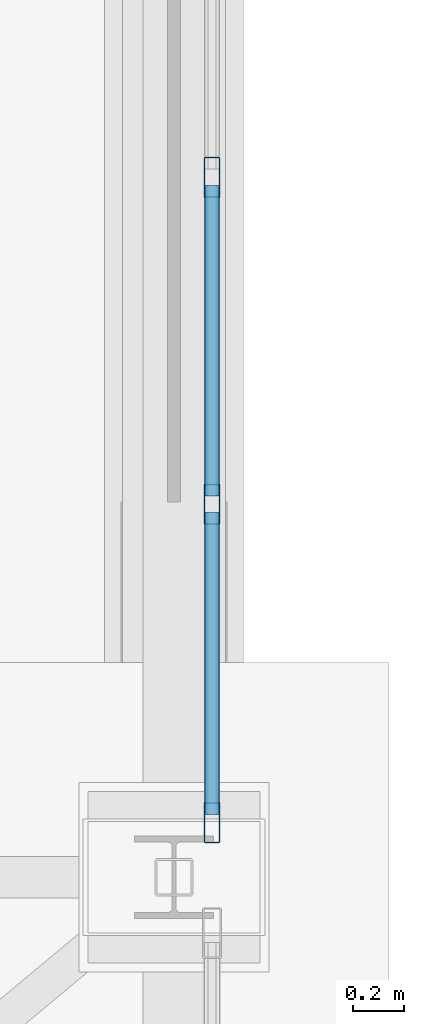
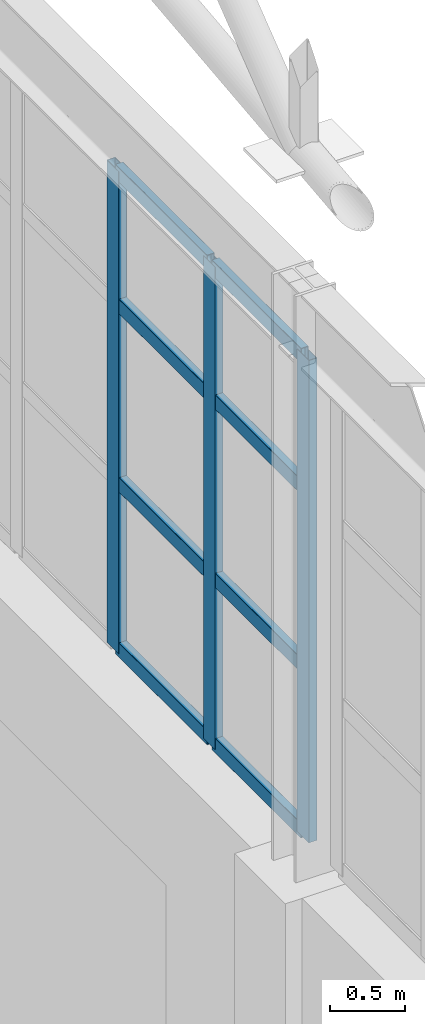
# One storey, part 188 of 293: 11 members, 1 element without a shape of its own.
"""IFC4 building model written with IfcOpenShell, lengths in metres."""

from ifc_helpers import new_model, si_unit, direction, frame, origin, origin_2d, place, context, subcontext, project, spatial, hollow_rectangle, extrude, material, layer, layer_set, material_profile, profile_set, type_object, element, aggregate, save


model = new_model("IFC4")

# Units and contexts
model_context = context("Model", 3, precision=1e-05, world=origin(), true_north=direction((0.0, 1.0)))
body_context = subcontext(model_context, "Body", "Model", "MODEL_VIEW")
ifc_project = project(units=[si_unit("LENGTHUNIT", "METRE"), si_unit("AREAUNIT", "SQUARE_METRE"), si_unit("VOLUMEUNIT", "CUBIC_METRE"), si_unit("PLANEANGLEUNIT", "RADIAN"), si_unit("MASSUNIT", "GRAM", prefix="KILO")], contexts=[model_context])

# Site, building, storey
site_placement = place(None, origin())
site = spatial("IfcSite", under=ifc_project, at=site_placement, CompositionType="ELEMENT")
building_placement = place(site_placement, origin())
building = spatial("IfcBuilding", under=site, at=building_placement, Name="Kemerveld Promenade Tramway Depot", CompositionType="ELEMENT")
storey_placement = place(building_placement, origin())
storey = spatial("IfcBuildingStorey", under=building, at=storey_placement, Name="L00", CompositionType="ELEMENT", Elevation=0.0)

# Curtain wall, members
ifc_material_1 = material(Name="Bronze anodised aluminium and solar glass", Category="aluminium")
ifc_layer = layer(ifc_material_1, 0.159912109375)
ifc_layer_set = layer_set([ifc_layer], Name="CW-SYS-13")
curtain_wall_type = type_object("IfcCurtainWallType", Name="CW-SYS-13", PredefinedType="USERDEFINED", material=ifc_layer_set)
curtain_wall_placement = place(storey_placement, origin())
curtain_wall = element("IfcCurtainWall", 1, at=curtain_wall_placement, inside=storey, type_object=curtain_wall_type, Name="CW-V1-E-03", ObjectType="GLAZED_CURTAIN_WALL", PredefinedType="USERDEFINED")
ifc_material_2 = material(Name="Bronze anodised aluminium", Category="aluminium")
ifc_material_profile_1 = material_profile(ifc_material_2, hollow_rectangle(XDim=0.06494140625, YDim=0.159912109375, WallThickness=0.00390625, InnerFilletRadius=0.001953125, OuterFilletRadius=0.00390625, at=origin_2d()), Name="CW-MUL-160x65")
ifc_profile_set_1 = profile_set([ifc_material_profile_1], Name="Bronze anodised aluminium")
member_type_1 = type_object("IfcMemberType", Name="CW-MUL-A", PredefinedType="MULLION", material=ifc_profile_set_1)
member_1_placement = place(storey_placement, frame((187.35009765625, 110.7685546875, 6.64990234375), z_axis=(0.0, 0.0, 1.0), x_axis=(1.0, 0.0, 0.0)))
member_1 = element("IfcMember", 2, at=member_1_placement, type_object=member_type_1, Name="CW13 mullion 8", PredefinedType="MULLION", context=body_context, shape_type="SweptSolid", body=[
    extrude(hollow_rectangle(XDim=0.06494140625, YDim=0.159912109375, WallThickness=0.00390625, InnerFilletRadius=0.001953125, OuterFilletRadius=0.00390625, at=origin_2d()), origin(), (0.0, 0.0, 1.0), 3.9501953125),
])
member_2_placement = place(storey_placement, frame((187.35009765625, 109.47607421875, 6.64990234375), z_axis=(0.0, 0.0, 1.0), x_axis=(1.0, 0.0, 0.0)))
member_2 = element("IfcMember", 3, at=member_2_placement, type_object=member_type_1, Name="CW13 mullion 9", PredefinedType="MULLION", context=body_context, shape_type="SweptSolid", body=[
    extrude(hollow_rectangle(XDim=0.06494140625, YDim=0.159912109375, WallThickness=0.00390625, InnerFilletRadius=0.001953125, OuterFilletRadius=0.00390625, at=origin_2d()), origin(), (0.0, 0.0, 1.0), 3.9501953125),
])
member_3_placement = place(storey_placement, frame((187.35009765625, 108.216064453125, 6.64990234375), z_axis=(0.0, 0.0, 1.0), x_axis=(1.0, 0.0, 0.0)))
member_3 = element("IfcMember", 4, at=member_3_placement, type_object=member_type_1, Name="CW13 mullion 10", PredefinedType="MULLION", context=body_context, shape_type="SweptSolid", body=[
    extrude(hollow_rectangle(XDim=0.06494140625, YDim=0.159912109375, WallThickness=0.00390625, InnerFilletRadius=0.001953125, OuterFilletRadius=0.00390625, at=origin_2d()), origin(), (0.0, 0.0, 1.0), 3.9501953125),
])
ifc_material_profile_2 = material_profile(ifc_material_2, hollow_rectangle(XDim=0.06005859375, YDim=0.1201171875, WallThickness=0.00390625, InnerFilletRadius=0.001953125, OuterFilletRadius=0.00390625, at=origin_2d()), Name="CW-TRN-120x60")
ifc_profile_set_2 = profile_set([ifc_material_profile_2], Name="Bronze anodised aluminium")
member_type_2 = type_object("IfcMemberType", Name="CW-TRN-A", PredefinedType="USERDEFINED", material=ifc_profile_set_2)
member_4_placement = place(storey_placement, frame((187.35009765625, 110.736083984375, 6.679931640625), z_axis=(0.0, -1.0, 0.0), x_axis=(1.0, 0.0, 0.0)))
member_4 = element("IfcMember", 5, at=member_4_placement, type_object=member_type_2, Name="CW13 transom 8.1", ObjectType="TRANSOM", PredefinedType="USERDEFINED", context=body_context, shape_type="SweptSolid", body=[
    extrude(hollow_rectangle(XDim=0.06005859375, YDim=0.1201171875, WallThickness=0.00390625, InnerFilletRadius=0.001953125, OuterFilletRadius=0.00390625, at=origin_2d()), origin(), (0.0, 0.0, 1.0), 1.2275390625),
])
member_5_placement = place(storey_placement, frame((187.35009765625, 110.736083984375, 8.032958984375), z_axis=(0.0, -1.0, 0.0), x_axis=(1.0, 0.0, 0.0)))
member_5 = element("IfcMember", 6, at=member_5_placement, type_object=member_type_2, Name="CW13 transom 8.2", ObjectType="TRANSOM", PredefinedType="USERDEFINED", context=body_context, shape_type="SweptSolid", body=[
    extrude(hollow_rectangle(XDim=0.06005859375, YDim=0.1201171875, WallThickness=0.00390625, InnerFilletRadius=0.001953125, OuterFilletRadius=0.00390625, at=origin_2d()), origin(), (0.0, 0.0, 1.0), 1.2275390625),
])
member_6_placement = place(storey_placement, frame((187.35009765625, 110.736083984375, 9.493896484375), z_axis=(0.0, -1.0, 0.0), x_axis=(1.0, 0.0, 0.0)))
member_6 = element("IfcMember", 7, at=member_6_placement, type_object=member_type_2, Name="CW13 transom 8.3", ObjectType="TRANSOM", PredefinedType="USERDEFINED", context=body_context, shape_type="SweptSolid", body=[
    extrude(hollow_rectangle(XDim=0.06005859375, YDim=0.1201171875, WallThickness=0.00390625, InnerFilletRadius=0.001953125, OuterFilletRadius=0.00390625, at=origin_2d()), origin(), (0.0, 0.0, 1.0), 1.2275390625),
])
member_7_placement = place(storey_placement, frame((187.35009765625, 110.736083984375, 10.570068359375), z_axis=(0.0, -1.0, 0.0), x_axis=(1.0, 0.0, 0.0)))
member_7 = element("IfcMember", 8, at=member_7_placement, type_object=member_type_2, Name="CW13 transom 8.4", ObjectType="TRANSOM", PredefinedType="USERDEFINED", context=body_context, shape_type="SweptSolid", body=[
    extrude(hollow_rectangle(XDim=0.06005859375, YDim=0.1201171875, WallThickness=0.00390625, InnerFilletRadius=0.001953125, OuterFilletRadius=0.00390625, at=origin_2d()), origin(), (0.0, 0.0, 1.0), 1.2275390625),
])
member_8_placement = place(storey_placement, frame((187.35009765625, 109.443603515625, 6.679931640625), z_axis=(0.0, -1.0, 0.0), x_axis=(1.0, 0.0, 0.0)))
member_8 = element("IfcMember", 9, at=member_8_placement, type_object=member_type_2, Name="CW13 transom 9.1", ObjectType="TRANSOM", PredefinedType="USERDEFINED", context=body_context, shape_type="SweptSolid", body=[
    extrude(hollow_rectangle(XDim=0.06005859375, YDim=0.1201171875, WallThickness=0.00390625, InnerFilletRadius=0.001953125, OuterFilletRadius=0.00390625, at=origin_2d()), origin(), (0.0, 0.0, 1.0), 1.195068359375),
])
member_9_placement = place(storey_placement, frame((187.35009765625, 109.443603515625, 8.032958984375), z_axis=(0.0, -1.0, 0.0), x_axis=(1.0, 0.0, 0.0)))
member_9 = element("IfcMember", 10, at=member_9_placement, type_object=member_type_2, Name="CW13 transom 9.2", ObjectType="TRANSOM", PredefinedType="USERDEFINED", context=body_context, shape_type="SweptSolid", body=[
    extrude(hollow_rectangle(XDim=0.06005859375, YDim=0.1201171875, WallThickness=0.00390625, InnerFilletRadius=0.001953125, OuterFilletRadius=0.00390625, at=origin_2d()), origin(), (0.0, 0.0, 1.0), 1.195068359375),
])
member_10_placement = place(storey_placement, frame((187.35009765625, 109.443603515625, 9.493896484375), z_axis=(0.0, -1.0, 0.0), x_axis=(1.0, 0.0, 0.0)))
member_10 = element("IfcMember", 11, at=member_10_placement, type_object=member_type_2, Name="CW13 transom 9.3", ObjectType="TRANSOM", PredefinedType="USERDEFINED", context=body_context, shape_type="SweptSolid", body=[
    extrude(hollow_rectangle(XDim=0.06005859375, YDim=0.1201171875, WallThickness=0.00390625, InnerFilletRadius=0.001953125, OuterFilletRadius=0.00390625, at=origin_2d()), origin(), (0.0, 0.0, 1.0), 1.195068359375),
])
member_11_placement = place(storey_placement, frame((187.35009765625, 109.443603515625, 10.570068359375), z_axis=(0.0, -1.0, 0.0), x_axis=(1.0, 0.0, 0.0)))
member_11 = element("IfcMember", 12, at=member_11_placement, type_object=member_type_2, Name="CW13 transom 9.4", ObjectType="TRANSOM", PredefinedType="USERDEFINED", context=body_context, shape_type="SweptSolid", body=[
    extrude(hollow_rectangle(XDim=0.06005859375, YDim=0.1201171875, WallThickness=0.00390625, InnerFilletRadius=0.001953125, OuterFilletRadius=0.00390625, at=origin_2d()), origin(), (0.0, 0.0, 1.0), 1.195068359375),
])
aggregate(curtain_wall, [member_1, member_2, member_3, member_4, member_5, member_6, member_7, member_8, member_9, member_10, member_11])

save(model, "model.ifc")
